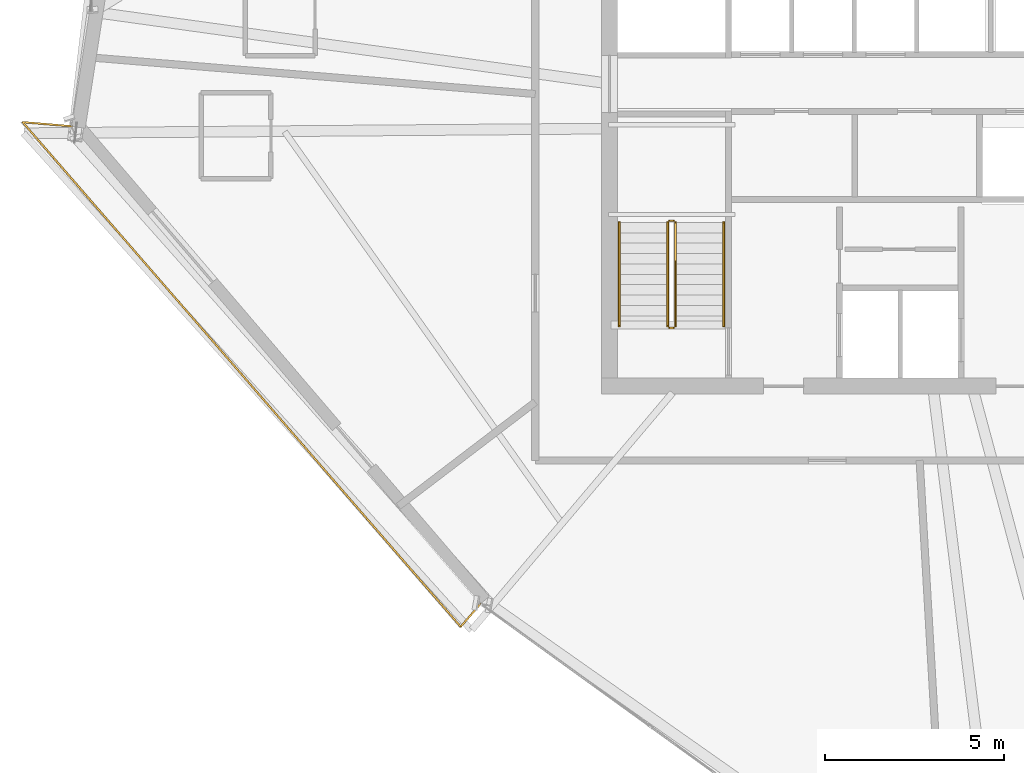
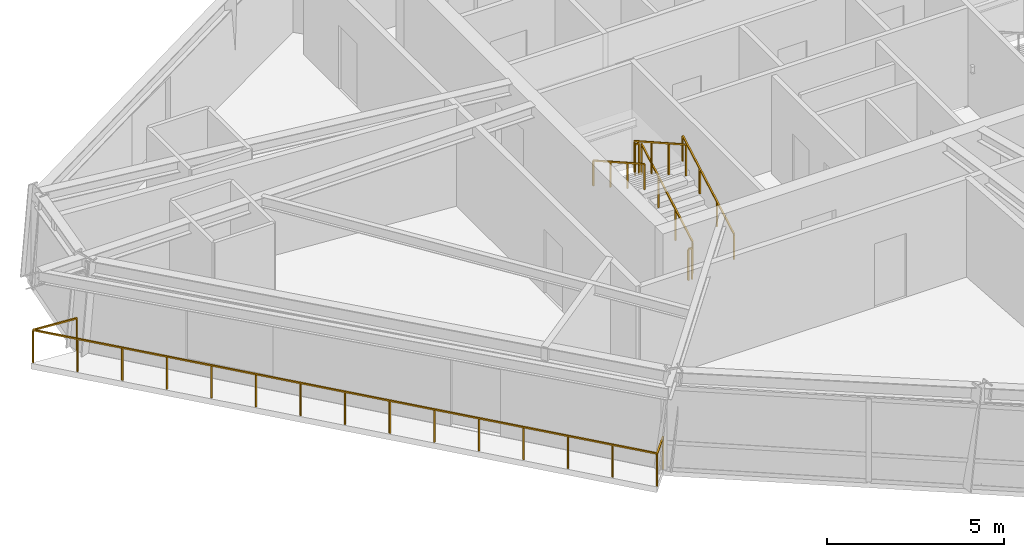
# One storey, part 12 of 14: 7 railings.
"""IFC4 building model written with IfcOpenShell, lengths in metres."""

from ifc_helpers import new_model, si_unit, direction, frame, origin, origin_2d, place, context, subcontext, project, spatial, rectangle, extrude, material, type_object, element, save


model = new_model("IFC4")

# Units and contexts
model_context = context("Model", 3, precision=1e-05, world=origin(), true_north=direction((0.0, 1.0)))
body_context = subcontext(model_context, "Body", "Model", "MODEL_VIEW")
ifc_project = project(units=[si_unit("LENGTHUNIT", "METRE"), si_unit("AREAUNIT", "SQUARE_METRE"), si_unit("VOLUMEUNIT", "CUBIC_METRE"), si_unit("PLANEANGLEUNIT", "RADIAN"), si_unit("MASSUNIT", "GRAM", prefix="KILO")], contexts=[model_context])

# Site, building, storey
site_placement = place(None, origin())
site = spatial("IfcSite", under=ifc_project, at=site_placement, CompositionType="ELEMENT")
building_placement = place(site_placement, origin())
building = spatial("IfcBuilding", under=site, at=building_placement, Name="Olszyna Solenne Hotel", CompositionType="ELEMENT")
storey_placement = place(building_placement, frame((0.0, 0.0, 234.5)))
storey = spatial("IfcBuildingStorey", under=building, at=storey_placement, Name="L62", CompositionType="ELEMENT", Elevation=234.5)

# Railings
ifc_material_1 = material(Name="Anodised bronze aluminium", Category="aluminium")
railing_type_1 = type_object("IfcRailingType", Name="GR-110", PredefinedType="BALUSTRADE", material=ifc_material_1)
railing_1_placement = place(storey_placement, frame((14.846435546875, 26.537353515625, 0.0)))
element("IfcRailing", 1, at=railing_1_placement, inside=storey, type_object=railing_type_1, Name="Loggia balcony balustrade guard GR-L62-LG2", PredefinedType="BALUSTRADE", context=body_context, shape_type="SweptSolid", body=[
    extrude(rectangle(XDim=0.048095703125, YDim=0.048095703125, at=origin_2d()), frame((0.0, 0.0, 1.1259765625), z_axis=(-0.996444944431, 0.084246499742, 0.0), x_axis=(-0.084246499742, -0.996444944431, 0.0)), (0.0, 0.0, 1.0), 1.37939453125),
    extrude(rectangle(XDim=0.048095703125, YDim=0.048095703125, at=origin_2d()), frame((-1.37451171875, 0.1162109375, 1.1259765625), z_axis=(0.655608600811, -0.755100895604, 0.0), x_axis=(0.755100895604, 0.655608600811, 0.0)), (0.0, 0.0, 1.0), 18.67626953125),
    extrude(rectangle(XDim=0.048095703125, YDim=0.048095703125, at=origin_2d()), frame((10.869873046875, -13.986328125, 1.1259765625), z_axis=(0.655885761869, 0.754860164122, 0.0), x_axis=(-0.754860164122, 0.655885761869, 0.0)), (0.0, 0.0, 1.0), 0.84619140625),
    extrude(rectangle(XDim=0.0419921875, YDim=0.0419921875, at=origin_2d()), origin(), (0.0, 0.0, 1.0), 1.101806640625),
    extrude(rectangle(XDim=0.0419921875, YDim=0.0419921875, at=origin_2d()), frame((-1.37451171875, 0.1162109375, 0.0)), (0.0, 0.0, 1.0), 1.101806640625),
    extrude(rectangle(XDim=0.0419921875, YDim=0.0419921875, at=origin_2d()), frame((-0.5, -0.89111328125, 0.0)), (0.0, 0.0, 1.0), 1.101806640625),
    extrude(rectangle(XDim=0.0419921875, YDim=0.0419921875, at=origin_2d()), frame((0.374755859375, -1.8984375, 0.0)), (0.0, 0.0, 1.0), 1.101806640625),
    extrude(rectangle(XDim=0.0419921875, YDim=0.0419921875, at=origin_2d()), frame((1.249267578125, -2.90576171875, 0.0)), (0.0, 0.0, 1.0), 1.101806640625),
    extrude(rectangle(XDim=0.0419921875, YDim=0.0419921875, at=origin_2d()), frame((2.123779296875, -3.9130859375, 0.0)), (0.0, 0.0, 1.0), 1.101806640625),
    extrude(rectangle(XDim=0.0419921875, YDim=0.0419921875, at=origin_2d()), frame((2.99853515625, -4.92041015625, 0.0)), (0.0, 0.0, 1.0), 1.101806640625),
    extrude(rectangle(XDim=0.0419921875, YDim=0.0419921875, at=origin_2d()), frame((3.873046875, -5.927734375, 0.0)), (0.0, 0.0, 1.0), 1.101806640625),
    extrude(rectangle(XDim=0.0419921875, YDim=0.0419921875, at=origin_2d()), frame((4.74755859375, -6.93505859375, 0.0)), (0.0, 0.0, 1.0), 1.101806640625),
    extrude(rectangle(XDim=0.0419921875, YDim=0.0419921875, at=origin_2d()), frame((5.622314453125, -7.9423828125, 0.0)), (0.0, 0.0, 1.0), 1.101806640625),
    extrude(rectangle(XDim=0.0419921875, YDim=0.0419921875, at=origin_2d()), frame((6.496826171875, -8.94970703125, 0.0)), (0.0, 0.0, 1.0), 1.101806640625),
    extrude(rectangle(XDim=0.0419921875, YDim=0.0419921875, at=origin_2d()), frame((7.37158203125, -9.95703125, 0.0)), (0.0, 0.0, 1.0), 1.101806640625),
    extrude(rectangle(XDim=0.0419921875, YDim=0.0419921875, at=origin_2d()), frame((8.24609375, -10.96435546875, 0.0)), (0.0, 0.0, 1.0), 1.101806640625),
    extrude(rectangle(XDim=0.0419921875, YDim=0.0419921875, at=origin_2d()), frame((9.12060546875, -11.9716796875, 0.0)), (0.0, 0.0, 1.0), 1.101806640625),
    extrude(rectangle(XDim=0.0419921875, YDim=0.0419921875, at=origin_2d()), frame((9.995361328125, -12.97900390625, 0.0)), (0.0, 0.0, 1.0), 1.101806640625),
    extrude(rectangle(XDim=0.0419921875, YDim=0.0419921875, at=origin_2d()), frame((10.869873046875, -13.986328125, 0.0)), (0.0, 0.0, 1.0), 1.101806640625),
    extrude(rectangle(XDim=0.0419921875, YDim=0.0419921875, at=origin_2d()), frame((11.4248046875, -13.34765625, 0.0)), (0.0, 0.0, 1.0), 1.101806640625),
])
railing_2_placement = place(storey_placement, frame((31.719970703125, 20.949951171875, 0.16357421875)))
element("IfcRailing", 2, at=railing_2_placement, inside=storey, type_object=railing_type_1, Name="L62 ST1 stair guard 1", PredefinedType="BALUSTRADE", context=body_context, shape_type="SweptSolid", body=[
    extrude(rectangle(XDim=0.048095703125, YDim=0.048095703125, at=origin_2d()), frame((0.0, 0.0, 1.076171875), z_axis=(0.0, 0.870914908162, 0.491433843708), x_axis=(-1.0, 0.0, 0.0)), (0.0, 0.0, 1.0), 3.330078125),
    extrude(rectangle(XDim=0.0419921875, YDim=0.0419921875, at=origin_2d()), origin(), (0.0, 0.0, 1.0), 1.052001953125),
    extrude(rectangle(XDim=0.0419921875, YDim=0.0419921875, at=origin_2d()), frame((0.0, 0.966796875, 0.54541015625)), (0.0, 0.0, 1.0), 1.052001953125),
    extrude(rectangle(XDim=0.0419921875, YDim=0.0419921875, at=origin_2d()), frame((0.0, 1.933349609375, 1.091064453125)), (0.0, 0.0, 1.0), 1.052001953125),
    extrude(rectangle(XDim=0.0419921875, YDim=0.0419921875, at=origin_2d()), frame((0.0, 2.900146484375, 1.636474609375)), (0.0, 0.0, 1.0), 1.052001953125),
])
railing_3_placement = place(storey_placement, frame((31.669921875, 23.89990234375, 1.800048828125)))
element("IfcRailing", 3, at=railing_3_placement, inside=storey, type_object=railing_type_1, Name="L62 ST1 stair guard 2", PredefinedType="BALUSTRADE", context=body_context, shape_type="SweptSolid", body=[
    extrude(rectangle(XDim=0.048095703125, YDim=0.048095703125, at=origin_2d()), frame((0.0, 0.0, 1.076171875), z_axis=(-1.0, 0.0, 0.0), x_axis=(0.0, -1.0, 0.0)), (0.0, 0.0, 1.0), 0.119873046875),
    extrude(rectangle(XDim=0.0419921875, YDim=0.0419921875, at=origin_2d()), origin(), (0.0, 0.0, 1.0), 1.052001953125),
    extrude(rectangle(XDim=0.0419921875, YDim=0.0419921875, at=origin_2d()), frame((-0.119873046875, 0.0, 0.0)), (0.0, 0.0, 1.0), 1.052001953125),
])
railing_4_placement = place(storey_placement, frame((31.5, 23.85009765625, 1.963623046875)))
element("IfcRailing", 4, at=railing_4_placement, inside=storey, type_object=railing_type_1, Name="L62 ST1 stair guard 3", PredefinedType="BALUSTRADE", context=body_context, shape_type="SweptSolid", body=[
    extrude(rectangle(XDim=0.048095703125, YDim=0.048095703125, at=origin_2d()), frame((0.0, 0.0, 1.076171875), z_axis=(0.0, -0.870914908162, 0.491433843708), x_axis=(1.0, 0.0, 0.0)), (0.0, 0.0, 1.0), 3.330078125),
    extrude(rectangle(XDim=0.0419921875, YDim=0.0419921875, at=origin_2d()), origin(), (0.0, 0.0, 1.0), 1.052001953125),
    extrude(rectangle(XDim=0.0419921875, YDim=0.0419921875, at=origin_2d()), frame((0.0, -0.966796875, 0.54541015625)), (0.0, 0.0, 1.0), 1.052001953125),
    extrude(rectangle(XDim=0.0419921875, YDim=0.0419921875, at=origin_2d()), frame((0.0, -1.933349609375, 1.091064453125)), (0.0, 0.0, 1.0), 1.052001953125),
    extrude(rectangle(XDim=0.0419921875, YDim=0.0419921875, at=origin_2d()), frame((0.0, -2.900146484375, 1.636474609375)), (0.0, 0.0, 1.0), 1.052001953125),
])
railing_5_placement = place(storey_placement, frame((31.669921875, 20.89990234375, 0.0)))
element("IfcRailing", 5, at=railing_5_placement, inside=storey, type_object=railing_type_1, Name="L62 ST1 stair guard 4", PredefinedType="BALUSTRADE", context=body_context, shape_type="SweptSolid", body=[
    extrude(rectangle(XDim=0.048095703125, YDim=0.048095703125, at=origin_2d()), frame((0.0, 0.0, 1.076171875), z_axis=(-1.0, 0.0, 0.0), x_axis=(0.0, -1.0, 0.0)), (0.0, 0.0, 1.0), 0.119873046875),
    extrude(rectangle(XDim=0.0419921875, YDim=0.0419921875, at=origin_2d()), origin(), (0.0, 0.0, 1.0), 1.052001953125),
    extrude(rectangle(XDim=0.0419921875, YDim=0.0419921875, at=origin_2d()), frame((-0.119873046875, 0.0, 0.0)), (0.0, 0.0, 1.0), 1.052001953125),
])
ifc_material_2 = material(Name="Steel S355J2", Category="steel")
railing_type_2 = type_object("IfcRailingType", Name="HR-090", PredefinedType="HANDRAIL", material=ifc_material_2)
railing_6_placement = place(storey_placement, frame((33.070068359375, 20.949951171875, 0.16357421875)))
element("IfcRailing", 6, at=railing_6_placement, inside=storey, type_object=railing_type_2, Name="L62 ST1 stair handrail 1", PredefinedType="HANDRAIL", context=body_context, shape_type="SweptSolid", body=[
    extrude(rectangle(XDim=0.048095703125, YDim=0.048095703125, at=origin_2d()), frame((0.0, 0.0, 0.8759765625), z_axis=(0.0, 0.870914908162, 0.491433843708), x_axis=(-1.0, 0.0, 0.0)), (0.0, 0.0, 1.0), 3.330078125),
    extrude(rectangle(XDim=0.0419921875, YDim=0.0419921875, at=origin_2d()), origin(), (0.0, 0.0, 1.0), 0.851806640625),
    extrude(rectangle(XDim=0.0419921875, YDim=0.0419921875, at=origin_2d()), frame((0.0, 0.966796875, 0.54541015625)), (0.0, 0.0, 1.0), 0.851806640625),
    extrude(rectangle(XDim=0.0419921875, YDim=0.0419921875, at=origin_2d()), frame((0.0, 1.933349609375, 1.091064453125)), (0.0, 0.0, 1.0), 0.851806640625),
    extrude(rectangle(XDim=0.0419921875, YDim=0.0419921875, at=origin_2d()), frame((0.0, 2.900146484375, 1.636474609375)), (0.0, 0.0, 1.0), 0.851806640625),
])
railing_7_placement = place(storey_placement, frame((30.14990234375, 23.85009765625, 1.963623046875)))
element("IfcRailing", 7, at=railing_7_placement, inside=storey, type_object=railing_type_2, Name="L62 ST1 stair handrail 2", PredefinedType="HANDRAIL", context=body_context, shape_type="SweptSolid", body=[
    extrude(rectangle(XDim=0.048095703125, YDim=0.048095703125, at=origin_2d()), frame((0.0, 0.0, 0.8759765625), z_axis=(0.0, -0.870914908162, 0.491433843708), x_axis=(1.0, 0.0, 0.0)), (0.0, 0.0, 1.0), 3.330078125),
    extrude(rectangle(XDim=0.0419921875, YDim=0.0419921875, at=origin_2d()), origin(), (0.0, 0.0, 1.0), 0.851806640625),
    extrude(rectangle(XDim=0.0419921875, YDim=0.0419921875, at=origin_2d()), frame((0.0, -0.966796875, 0.54541015625)), (0.0, 0.0, 1.0), 0.851806640625),
    extrude(rectangle(XDim=0.0419921875, YDim=0.0419921875, at=origin_2d()), frame((0.0, -1.933349609375, 1.091064453125)), (0.0, 0.0, 1.0), 0.851806640625),
    extrude(rectangle(XDim=0.0419921875, YDim=0.0419921875, at=origin_2d()), frame((0.0, -2.900146484375, 1.636474609375)), (0.0, 0.0, 1.0), 0.851806640625),
])

save(model, "model.ifc")
